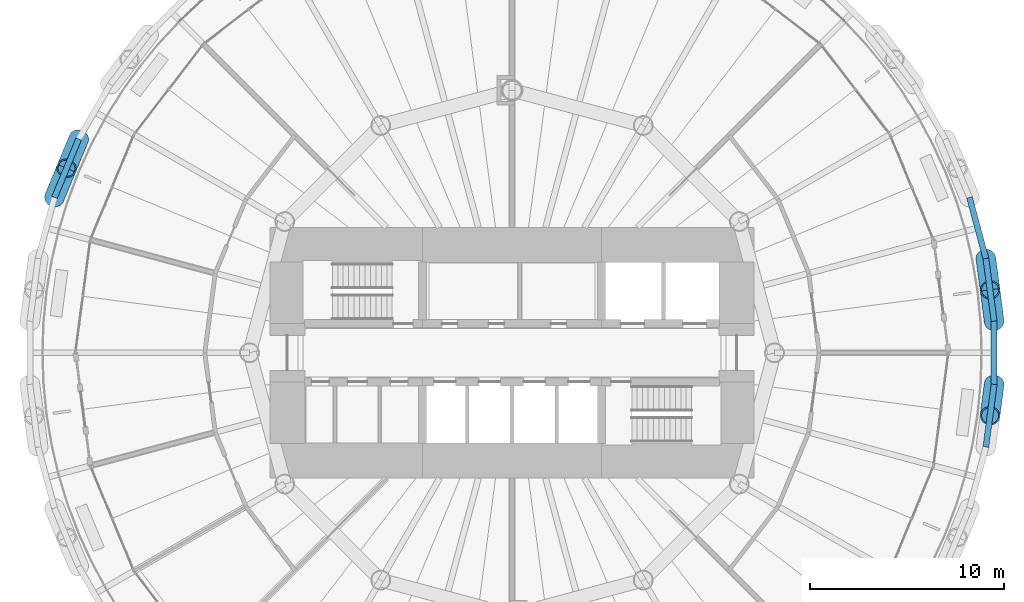
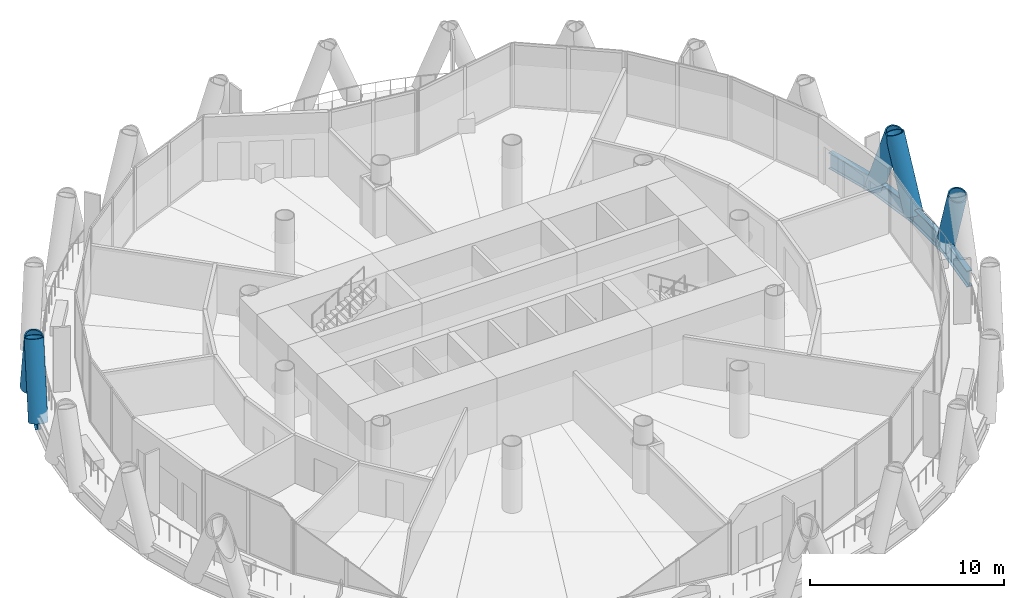
# One storey, part 5 of 15: 5 beams, 5 members.
"""IFC4 building model written with IfcOpenShell, lengths in metres."""

from ifc_helpers import new_model, si_unit, direction, frame, origin, origin_2d, place, context, subcontext, project, spatial, hollow_circle, i_section, extrude, material, material_profile, profile_set, type_object, element, save


model = new_model("IFC4")

# Units and contexts
model_context = context("Model", 3, precision=1e-05, world=origin(), true_north=direction((0.0, 1.0)))
body_context = subcontext(model_context, "Body", "Model", "MODEL_VIEW")
ifc_project = project(units=[si_unit("LENGTHUNIT", "METRE"), si_unit("AREAUNIT", "SQUARE_METRE"), si_unit("VOLUMEUNIT", "CUBIC_METRE"), si_unit("PLANEANGLEUNIT", "RADIAN"), si_unit("MASSUNIT", "GRAM", prefix="KILO")], contexts=[model_context])

# Site, building, storey
site_placement = place(None, origin())
site = spatial("IfcSite", under=ifc_project, at=site_placement, CompositionType="ELEMENT")
building_placement = place(site_placement, origin())
building = spatial("IfcBuilding", under=site, at=building_placement, Name="Qaws Media Tower", CompositionType="ELEMENT")
storey_placement = place(building_placement, frame((0.0, 0.0, 147.800048828125)))
storey = spatial("IfcBuildingStorey", under=building, at=storey_placement, Name="L33", CompositionType="ELEMENT", Elevation=147.800048828125)

# Members
ifc_material_1 = material(Name="Steel S460", Category="steel")
ifc_material_profile_1 = material_profile(ifc_material_1, hollow_circle(Radius=0.508056640625, WallThickness=0.070068359375, at=origin_2d()), Name="CHS 1016x70")
ifc_profile_set_1 = profile_set([ifc_material_profile_1], Name="Steel S460")
member_type = type_object("IfcMemberType", Name="Diagrid member CHS 1016x70", PredefinedType="USERDEFINED", material=ifc_profile_set_1)
for number, where, z_axis, x_axis, name in (
    (1, (84.796875, 51.625244140625, -0.6640625), (-0.046405217951, 0.357905664619, 0.932603930391), (-0.991698959967, -0.128581385903, 0.0), "DG3 diagrid L33 A01"),
    (2, (84.796875, 48.374755859375, -0.6640625), (-0.046405217951, -0.357905664619, 0.932603930391), (0.991698959967, -0.128581385903, 0.0), "DG3 diagrid L33 B01"),
    (3, (84.37255859375, 54.847900390625, -0.6640625), (0.047815257075, -0.357692818797, 0.932614362195), (0.991183235984, 0.132498274346, 0.0), "DG3 diagrid L33 B02"),
    (4, (37.712646484375, 60.990966796875, -0.6640625), (-0.138727206888, -0.333183827093, 0.932600289209), (0.923174661382, -0.384380728682, 0.0), "DG3 diagrid L33 A11"),
    (5, (36.46875, 57.98779296875, -0.6640625), (0.137481650879, 0.33367490582, 0.932609164065), (-0.924594078126, 0.38095379076, 0.0), "DG3 diagrid L33 B12"),
):
    element("IfcMember", number, at=place(storey_placement, frame(where, z_axis=z_axis, x_axis=x_axis)), inside=storey, type_object=member_type, Name=name, ObjectType="DIAGRID", PredefinedType="USERDEFINED", context=body_context, shape_type="SweptSolid", body=[
        extrude(hollow_circle(Radius=0.508056640625, WallThickness=0.070068359375, at=origin_2d()), origin(), (0.0, 0.0, 1.0), 4.50341796875),
    ])

# Beams
ifc_material_2 = material(Name="Steel S460", Category="steel")
ifc_material_profile_2 = material_profile(ifc_material_2, i_section(OverallWidth=0.302001953125, OverallDepth=1.008056640625, WebThickness=0.02099609375, FlangeThickness=0.0400390625, FilletRadius=0.030029296875, at=origin_2d()), Name="HE 1000 M")
ifc_profile_set_2 = profile_set([ifc_material_profile_2], Name="Steel S460")
beam_type = type_object("IfcBeamType", Name="Edge ring beam HE 1000 M", PredefinedType="BEAM", material=ifc_profile_set_2)
beam_1_placement = place(storey_placement, frame((84.796875, 51.625244140625, -0.6640625), z_axis=(-0.130540000708, 0.991443043354, 0.0), x_axis=(-0.991443043354, -0.130540000708, 0.0)))
element("IfcBeam", 6, at=beam_1_placement, inside=storey, type_object=beam_type, Name="RB3 edge ring beam L33-01", PredefinedType="BEAM", context=body_context, shape_type="SweptSolid", body=[
    extrude(i_section(OverallWidth=0.302001953125, OverallDepth=1.008056640625, WebThickness=0.02099609375, FlangeThickness=0.0400390625, FilletRadius=0.030029296875, at=origin_2d()), origin(), (0.0, 0.0, 1.0), 3.25048828125),
])
beam_2_placement = place(storey_placement, frame((84.37255859375, 54.847900390625, -0.6640625), z_axis=(-0.258812418621, 0.965927601825, 0.0), x_axis=(-0.965927601825, -0.258812418621, 0.0)))
element("IfcBeam", 7, at=beam_2_placement, inside=storey, type_object=beam_type, Name="RB3 edge ring beam L33-02", PredefinedType="BEAM", context=body_context, shape_type="SweptSolid", body=[
    extrude(i_section(OverallWidth=0.302001953125, OverallDepth=1.008056640625, WebThickness=0.02099609375, FlangeThickness=0.0400390625, FilletRadius=0.030029296875, at=origin_2d()), origin(), (0.0, 0.0, 1.0), 3.250732421875),
])
for number, where, z_axis, x_axis, name in (
    (8, (37.712646484375, 60.990966796875, -0.6640625), (-0.38266798044, -0.923885932757, 0.0), (0.923885932757, -0.38266798044, 0.0), "RB3 edge ring beam L33-21"),
    (9, (84.37255859375, 45.152099609375, -0.6640625), (0.130540000708, 0.991443043354, 0.0), (-0.991443043354, 0.130540000708, 0.0), "RB3 edge ring beam L33-47"),
    (10, (84.796875, 48.374755859375, -0.6640625), (0.0, 1.0, 0.0), (-1.0, 0.0, 0.0), "RB3 edge ring beam L33-48"),
):
    element("IfcBeam", number, at=place(storey_placement, frame(where, z_axis=z_axis, x_axis=x_axis)), inside=storey, type_object=beam_type, Name=name, PredefinedType="BEAM", context=body_context, shape_type="SweptSolid", body=[
        extrude(i_section(OverallWidth=0.302001953125, OverallDepth=1.008056640625, WebThickness=0.02099609375, FlangeThickness=0.0400390625, FilletRadius=0.030029296875, at=origin_2d()), origin(), (0.0, 0.0, 1.0), 3.25048828125),
    ])

save(model, "model.ifc")
